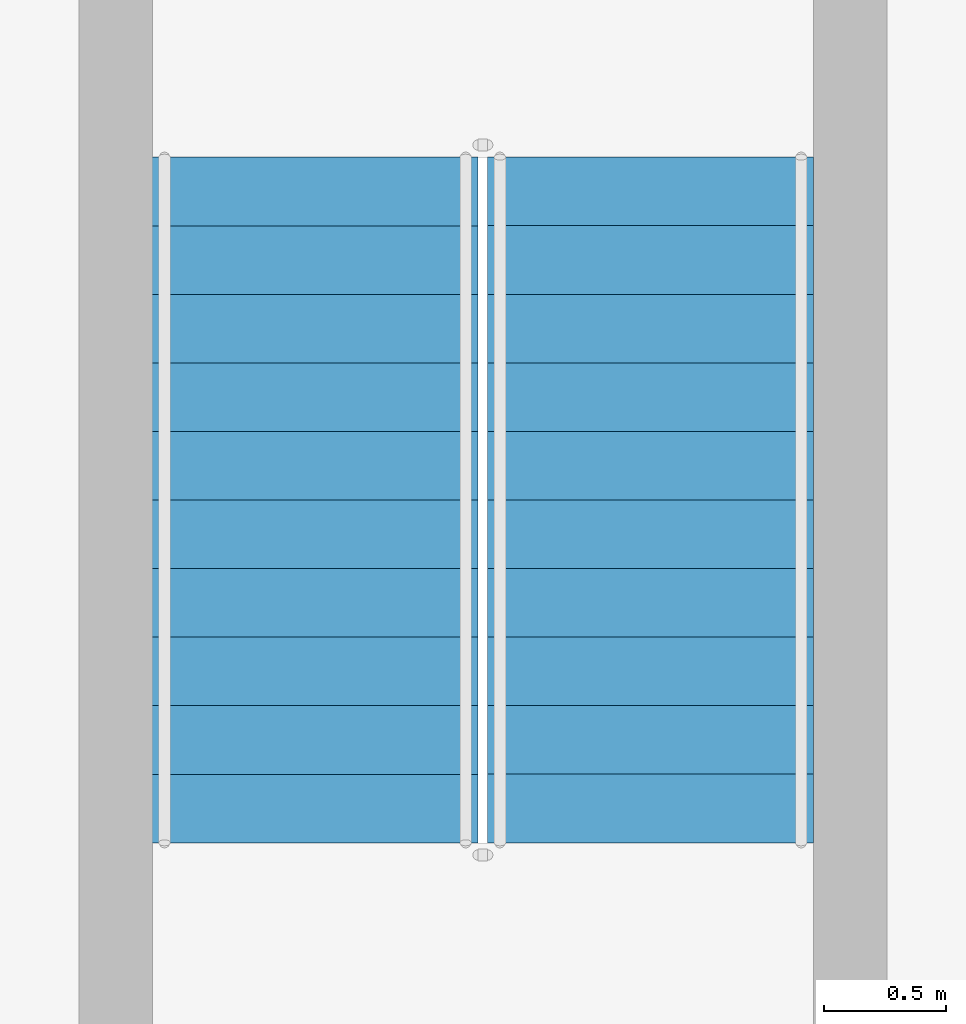
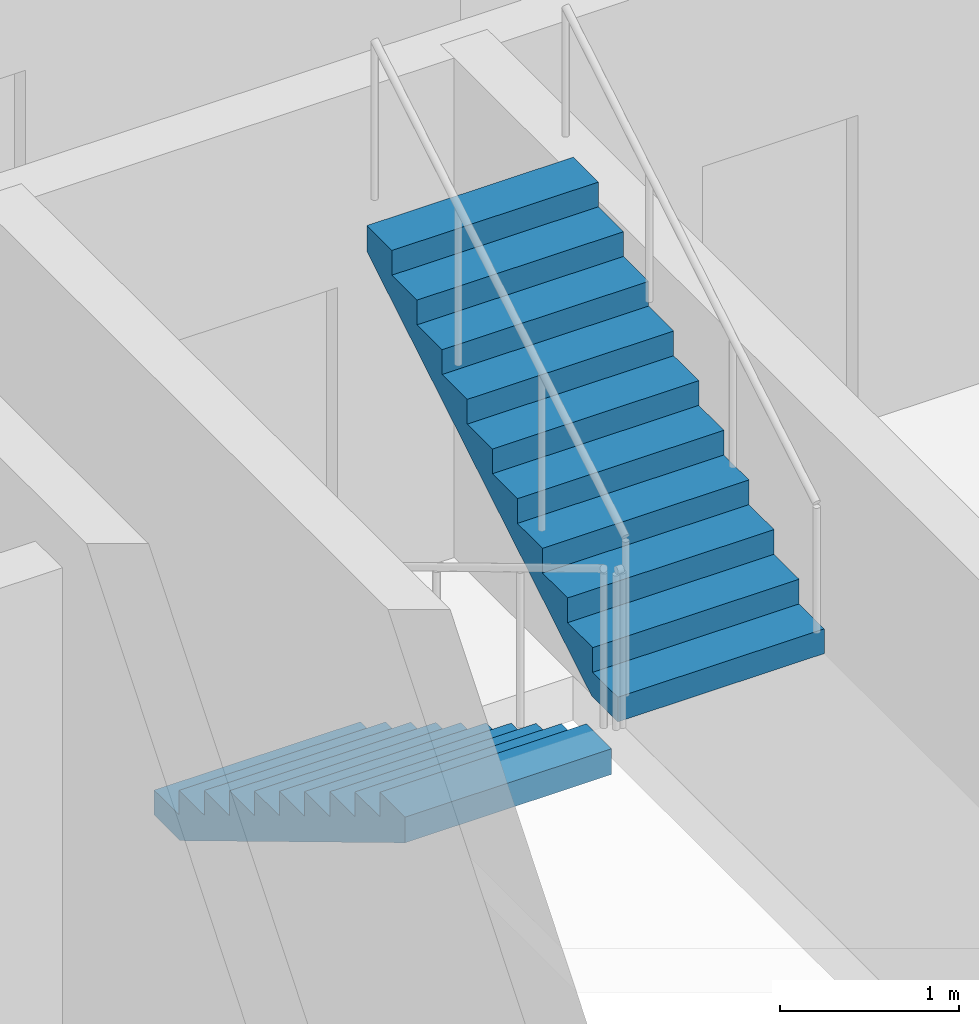
# One storey, part 15 of 19: 2 stair flights, 1 element without a shape of its own.
"""IFC4 building model written with IfcOpenShell, lengths in metres."""

from ifc_helpers import new_model, si_unit, direction, frame, origin, place, context, subcontext, project, spatial, triangles, source, transform, mapped, material, type_object, element, aggregate, save


model = new_model("IFC4")

# Units and contexts
model_context = context("Model", 3, precision=1e-05, world=origin(), true_north=direction((0.0, 1.0)))
body_context = subcontext(model_context, "Body", "Model", "MODEL_VIEW")
ifc_project = project(units=[si_unit("LENGTHUNIT", "METRE"), si_unit("AREAUNIT", "SQUARE_METRE"), si_unit("VOLUMEUNIT", "CUBIC_METRE"), si_unit("PLANEANGLEUNIT", "RADIAN"), si_unit("MASSUNIT", "GRAM", prefix="KILO")], contexts=[model_context])

# Site, building, storey
site_placement = place(None, origin())
site = spatial("IfcSite", under=ifc_project, at=site_placement, CompositionType="ELEMENT")
building_placement = place(site_placement, origin())
building = spatial("IfcBuilding", under=site, at=building_placement, Name="Ogive Portal Towers", CompositionType="ELEMENT")
storey_placement = place(building_placement, frame((0.0, 0.0, 203.199951171875)))
storey = spatial("IfcBuildingStorey", under=building, at=storey_placement, Name="L50", CompositionType="ELEMENT", Elevation=203.199951171875)

# Stair, stair flights
ifc_material = material(Name="Concrete C40/50", Category="concrete")
stair_type = type_object("IfcStairType", Name="INT-STAIR", PredefinedType="HALF_TURN_STAIR", material=ifc_material)
stair_placement = place(storey_placement, origin())
stair = element("IfcStair", 1, at=stair_placement, inside=storey, type_object=stair_type, Name="L50 Exit Stair ST-A4", PredefinedType="HALF_TURN_STAIR")
stair_flight_type = type_object("IfcStairFlightType", Name="INT-FLIGHT", PredefinedType="STRAIGHT", material=ifc_material)
shared_shape = source(origin(), body_context, "Body", "Tessellation", [
    triangles([(0.0, -0.6650390625, 0.0), (0.0, -0.384765625, 0.0), (0.0, -0.197021484375, 0.0), (0.0, -0.0830078125, 0.0), (0.0, -0.024658203125, 0.0), (0.0, -0.003173828125, 0.0), (0.0, 0.0, 0.0), (0.0, 0.003173828125, 0.0), (0.0, 0.024658203125, 0.0), (0.0, 0.0830078125, 0.0), (0.0, 0.197021484375, 0.0), (0.0, 0.384765625, 0.0), (0.0, 0.6650390625, 0.0), (0.0, -0.6650390625, 0.168212890625), (0.0, -0.384765625, 0.168212890625), (0.0, -0.197021484375, 0.168212890625), (0.0, -0.0830078125, 0.168212890625), (0.0, -0.024658203125, 0.168212890625), (0.0, -0.003173828125, 0.168212890625), (0.0, 0.0, 0.168212890625), (0.0, 0.003173828125, 0.168212890625), (0.0, 0.024658203125, 0.168212890625), (0.0, 0.0830078125, 0.168212890625), (0.0, 0.197021484375, 0.168212890625), (0.0, 0.384765625, 0.168212890625), (0.0, 0.6650390625, 0.168212890625), (0.280029296875, -0.6650390625, 0.168212890625), (0.280029296875, -0.384765625, 0.168212890625), (0.280029296875, -0.197021484375, 0.168212890625), (0.280029296875, -0.0830078125, 0.168212890625), (0.280029296875, -0.024658203125, 0.168212890625), (0.280029296875, -0.003173828125, 0.168212890625), (0.280029296875, 0.0, 0.168212890625), (0.280029296875, 0.003173828125, 0.168212890625), (0.280029296875, 0.024658203125, 0.168212890625), (0.280029296875, 0.0830078125, 0.168212890625), (0.280029296875, 0.197021484375, 0.168212890625), (0.280029296875, 0.384765625, 0.168212890625), (0.280029296875, 0.6650390625, 0.168212890625), (0.280029296875, -0.6650390625, 0.33642578125), (0.280029296875, -0.384765625, 0.33642578125), (0.280029296875, -0.197021484375, 0.33642578125), (0.280029296875, -0.0830078125, 0.33642578125), (0.280029296875, -0.024658203125, 0.33642578125), (0.280029296875, -0.003173828125, 0.33642578125), (0.280029296875, 0.0, 0.33642578125), (0.280029296875, 0.003173828125, 0.33642578125), (0.280029296875, 0.024658203125, 0.33642578125), (0.280029296875, 0.0830078125, 0.33642578125), (0.280029296875, 0.197021484375, 0.33642578125), (0.280029296875, 0.384765625, 0.33642578125), (0.280029296875, 0.6650390625, 0.33642578125), (0.56005859375, -0.6650390625, 0.33642578125), (0.56005859375, -0.384765625, 0.33642578125), (0.56005859375, -0.197021484375, 0.33642578125), (0.56005859375, -0.0830078125, 0.33642578125), (0.56005859375, -0.024658203125, 0.33642578125), (0.56005859375, -0.003173828125, 0.33642578125), (0.56005859375, 0.0, 0.33642578125), (0.56005859375, 0.003173828125, 0.33642578125), (0.56005859375, 0.024658203125, 0.33642578125), (0.56005859375, 0.0830078125, 0.33642578125), (0.56005859375, 0.197021484375, 0.33642578125), (0.56005859375, 0.384765625, 0.33642578125), (0.56005859375, 0.6650390625, 0.33642578125), (0.56005859375, -0.6650390625, 0.504638671875), (0.56005859375, -0.384765625, 0.504638671875), (0.56005859375, -0.197021484375, 0.504638671875), (0.56005859375, -0.0830078125, 0.504638671875), (0.56005859375, -0.024658203125, 0.504638671875), (0.56005859375, -0.003173828125, 0.504638671875), (0.56005859375, 0.0, 0.504638671875), (0.56005859375, 0.003173828125, 0.504638671875), (0.56005859375, 0.024658203125, 0.504638671875), (0.56005859375, 0.0830078125, 0.504638671875), (0.56005859375, 0.197021484375, 0.504638671875), (0.56005859375, 0.384765625, 0.504638671875), (0.56005859375, 0.6650390625, 0.504638671875), (0.840087890625, -0.6650390625, 0.504638671875), (0.840087890625, -0.384765625, 0.504638671875), (0.840087890625, -0.197021484375, 0.504638671875), (0.840087890625, -0.0830078125, 0.504638671875), (0.840087890625, -0.024658203125, 0.504638671875), (0.840087890625, -0.003173828125, 0.504638671875), (0.840087890625, 0.0, 0.504638671875), (0.840087890625, 0.003173828125, 0.504638671875), (0.840087890625, 0.024658203125, 0.504638671875), (0.840087890625, 0.0830078125, 0.504638671875), (0.840087890625, 0.197021484375, 0.504638671875), (0.840087890625, 0.384765625, 0.504638671875), (0.840087890625, 0.6650390625, 0.504638671875), (0.840087890625, -0.6650390625, 0.672607421875), (0.840087890625, -0.384765625, 0.672607421875), (0.840087890625, -0.197021484375, 0.672607421875), (0.840087890625, -0.0830078125, 0.672607421875), (0.840087890625, -0.024658203125, 0.672607421875), (0.840087890625, -0.003173828125, 0.672607421875), (0.840087890625, 0.0, 0.672607421875), (0.840087890625, 0.003173828125, 0.672607421875), (0.840087890625, 0.024658203125, 0.672607421875), (0.840087890625, 0.0830078125, 0.672607421875), (0.840087890625, 0.197021484375, 0.672607421875), (0.840087890625, 0.384765625, 0.672607421875), (0.840087890625, 0.6650390625, 0.672607421875), (1.1201171875, -0.6650390625, 0.672607421875), (1.1201171875, -0.384765625, 0.672607421875), (1.1201171875, -0.197021484375, 0.672607421875), (1.1201171875, -0.0830078125, 0.672607421875), (1.1201171875, -0.024658203125, 0.672607421875), (1.1201171875, -0.003173828125, 0.672607421875), (1.1201171875, 0.0, 0.672607421875), (1.1201171875, 0.003173828125, 0.672607421875), (1.1201171875, 0.024658203125, 0.672607421875), (1.1201171875, 0.0830078125, 0.672607421875), (1.1201171875, 0.197021484375, 0.672607421875), (1.1201171875, 0.384765625, 0.672607421875), (1.1201171875, 0.6650390625, 0.672607421875), (1.1201171875, -0.6650390625, 0.8408203125), (1.1201171875, -0.384765625, 0.8408203125), (1.1201171875, -0.197021484375, 0.8408203125), (1.1201171875, -0.0830078125, 0.8408203125), (1.1201171875, -0.024658203125, 0.8408203125), (1.1201171875, -0.003173828125, 0.8408203125), (1.1201171875, 0.0, 0.8408203125), (1.1201171875, 0.003173828125, 0.8408203125), (1.1201171875, 0.024658203125, 0.8408203125), (1.1201171875, 0.0830078125, 0.8408203125), (1.1201171875, 0.197021484375, 0.8408203125), (1.1201171875, 0.384765625, 0.8408203125), (1.1201171875, 0.6650390625, 0.8408203125), (1.39990234375, -0.6650390625, 0.8408203125), (1.39990234375, -0.384765625, 0.8408203125), (1.39990234375, -0.197021484375, 0.8408203125), (1.39990234375, -0.0830078125, 0.8408203125), (1.39990234375, -0.024658203125, 0.8408203125), (1.39990234375, -0.003173828125, 0.8408203125), (1.39990234375, 0.0, 0.8408203125), (1.39990234375, 0.003173828125, 0.8408203125), (1.39990234375, 0.024658203125, 0.8408203125), (1.39990234375, 0.0830078125, 0.8408203125), (1.39990234375, 0.197021484375, 0.8408203125), (1.39990234375, 0.384765625, 0.8408203125), (1.39990234375, 0.6650390625, 0.8408203125), (1.39990234375, -0.6650390625, 1.009033203125), (1.39990234375, -0.384765625, 1.009033203125), (1.39990234375, -0.197021484375, 1.009033203125), (1.39990234375, -0.0830078125, 1.009033203125), (1.39990234375, -0.024658203125, 1.009033203125), (1.39990234375, -0.003173828125, 1.009033203125), (1.39990234375, 0.0, 1.009033203125), (1.39990234375, 0.003173828125, 1.009033203125), (1.39990234375, 0.024658203125, 1.009033203125), (1.39990234375, 0.0830078125, 1.009033203125), (1.39990234375, 0.197021484375, 1.009033203125), (1.39990234375, 0.384765625, 1.009033203125), (1.39990234375, 0.6650390625, 1.009033203125), (1.679931640625, -0.6650390625, 1.009033203125), (1.679931640625, -0.384765625, 1.009033203125), (1.679931640625, -0.197021484375, 1.009033203125), (1.679931640625, -0.0830078125, 1.009033203125), (1.679931640625, -0.024658203125, 1.009033203125), (1.679931640625, -0.003173828125, 1.009033203125), (1.679931640625, 0.0, 1.009033203125), (1.679931640625, 0.003173828125, 1.009033203125), (1.679931640625, 0.024658203125, 1.009033203125), (1.679931640625, 0.0830078125, 1.009033203125), (1.679931640625, 0.197021484375, 1.009033203125), (1.679931640625, 0.384765625, 1.009033203125), (1.679931640625, 0.6650390625, 1.009033203125), (1.679931640625, -0.6650390625, 1.17724609375), (1.679931640625, -0.384765625, 1.17724609375), (1.679931640625, -0.197021484375, 1.17724609375), (1.679931640625, -0.0830078125, 1.17724609375), (1.679931640625, -0.024658203125, 1.17724609375), (1.679931640625, -0.003173828125, 1.17724609375), (1.679931640625, 0.0, 1.17724609375), (1.679931640625, 0.003173828125, 1.17724609375), (1.679931640625, 0.024658203125, 1.17724609375), (1.679931640625, 0.0830078125, 1.17724609375), (1.679931640625, 0.197021484375, 1.17724609375), (1.679931640625, 0.384765625, 1.17724609375), (1.679931640625, 0.6650390625, 1.17724609375), (1.9599609375, -0.6650390625, 1.17724609375), (1.9599609375, -0.384765625, 1.17724609375), (1.9599609375, -0.197021484375, 1.17724609375), (1.9599609375, -0.0830078125, 1.17724609375), (1.9599609375, -0.024658203125, 1.17724609375), (1.9599609375, -0.003173828125, 1.17724609375), (1.9599609375, 0.0, 1.17724609375), (1.9599609375, 0.003173828125, 1.17724609375), (1.9599609375, 0.024658203125, 1.17724609375), (1.9599609375, 0.0830078125, 1.17724609375), (1.9599609375, 0.197021484375, 1.17724609375), (1.9599609375, 0.384765625, 1.17724609375), (1.9599609375, 0.6650390625, 1.17724609375), (1.9599609375, -0.6650390625, 1.345458984375), (1.9599609375, -0.384765625, 1.345458984375), (1.9599609375, -0.197021484375, 1.345458984375), (1.9599609375, -0.0830078125, 1.345458984375), (1.9599609375, -0.024658203125, 1.345458984375), (1.9599609375, -0.003173828125, 1.345458984375), (1.9599609375, 0.0, 1.345458984375), (1.9599609375, 0.003173828125, 1.345458984375), (1.9599609375, 0.024658203125, 1.345458984375), (1.9599609375, 0.0830078125, 1.345458984375), (1.9599609375, 0.197021484375, 1.345458984375), (1.9599609375, 0.384765625, 1.345458984375), (1.9599609375, 0.6650390625, 1.345458984375), (2.239990234375, -0.6650390625, 1.345458984375), (2.239990234375, -0.384765625, 1.345458984375), (2.239990234375, -0.197021484375, 1.345458984375), (2.239990234375, -0.0830078125, 1.345458984375), (2.239990234375, -0.024658203125, 1.345458984375), (2.239990234375, -0.003173828125, 1.345458984375), (2.239990234375, 0.0, 1.345458984375), (2.239990234375, 0.003173828125, 1.345458984375), (2.239990234375, 0.024658203125, 1.345458984375), (2.239990234375, 0.0830078125, 1.345458984375), (2.239990234375, 0.197021484375, 1.345458984375), (2.239990234375, 0.384765625, 1.345458984375), (2.239990234375, 0.6650390625, 1.345458984375), (2.239990234375, -0.6650390625, 1.513671875), (2.239990234375, -0.384765625, 1.513671875), (2.239990234375, -0.197021484375, 1.513671875), (2.239990234375, -0.0830078125, 1.513671875), (2.239990234375, -0.024658203125, 1.513671875), (2.239990234375, -0.003173828125, 1.513671875), (2.239990234375, 0.0, 1.513671875), (2.239990234375, 0.003173828125, 1.513671875), (2.239990234375, 0.024658203125, 1.513671875), (2.239990234375, 0.0830078125, 1.513671875), (2.239990234375, 0.197021484375, 1.513671875), (2.239990234375, 0.384765625, 1.513671875), (2.239990234375, 0.6650390625, 1.513671875), (2.52001953125, -0.6650390625, 1.513671875), (2.52001953125, -0.384765625, 1.513671875), (2.52001953125, -0.197021484375, 1.513671875), (2.52001953125, -0.0830078125, 1.513671875), (2.52001953125, -0.024658203125, 1.513671875), (2.52001953125, -0.003173828125, 1.513671875), (2.52001953125, 0.0, 1.513671875), (2.52001953125, 0.003173828125, 1.513671875), (2.52001953125, 0.024658203125, 1.513671875), (2.52001953125, 0.0830078125, 1.513671875), (2.52001953125, 0.197021484375, 1.513671875), (2.52001953125, 0.384765625, 1.513671875), (2.52001953125, 0.6650390625, 1.513671875), (2.52001953125, -0.6650390625, 1.681884765625), (2.52001953125, -0.384765625, 1.681884765625), (2.52001953125, -0.197021484375, 1.681884765625), (2.52001953125, -0.0830078125, 1.681884765625), (2.52001953125, -0.024658203125, 1.681884765625), (2.52001953125, -0.003173828125, 1.681884765625), (2.52001953125, 0.0, 1.681884765625), (2.52001953125, 0.003173828125, 1.681884765625), (2.52001953125, 0.024658203125, 1.681884765625), (2.52001953125, 0.0830078125, 1.681884765625), (2.52001953125, 0.197021484375, 1.681884765625), (2.52001953125, 0.384765625, 1.681884765625), (2.52001953125, 0.6650390625, 1.681884765625), (2.800048828125, -0.6650390625, 1.681884765625), (2.800048828125, -0.384765625, 1.681884765625), (2.800048828125, -0.197021484375, 1.681884765625), (2.800048828125, -0.0830078125, 1.681884765625), (2.800048828125, -0.024658203125, 1.681884765625), (2.800048828125, -0.003173828125, 1.681884765625), (2.800048828125, 0.0, 1.681884765625), (2.800048828125, 0.003173828125, 1.681884765625), (2.800048828125, 0.024658203125, 1.681884765625), (2.800048828125, 0.0830078125, 1.681884765625), (2.800048828125, 0.197021484375, 1.681884765625), (2.800048828125, 0.384765625, 1.681884765625), (2.800048828125, 0.6650390625, 1.681884765625), (2.800048828125, -0.6650390625, 1.5068359375), (2.800048828125, -0.384765625, 1.5068359375), (2.800048828125, -0.197021484375, 1.5068359375), (2.800048828125, -0.0830078125, 1.5068359375), (2.800048828125, -0.024658203125, 1.5068359375), (2.800048828125, -0.003173828125, 1.5068359375), (2.800048828125, 0.0, 1.5068359375), (2.800048828125, 0.003173828125, 1.5068359375), (2.800048828125, 0.024658203125, 1.5068359375), (2.800048828125, 0.0830078125, 1.5068359375), (2.800048828125, 0.197021484375, 1.5068359375), (2.800048828125, 0.384765625, 1.5068359375), (2.800048828125, 0.6650390625, 1.5068359375), (0.291015625, -0.6650390625, 0.0), (0.291015625, -0.384765625, 0.0), (0.291015625, -0.197021484375, 0.0), (0.291015625, -0.0830078125, 0.0), (0.291015625, -0.024658203125, 0.0), (0.291015625, -0.003173828125, 0.0), (0.291015625, 0.0, 0.0), (0.291015625, 0.003173828125, 0.0), (0.291015625, 0.024658203125, 0.0), (0.291015625, 0.0830078125, 0.0), (0.291015625, 0.197021484375, 0.0), (0.291015625, 0.384765625, 0.0), (0.291015625, 0.6650390625, 0.0)], [[1, 14, 15], [1, 15, 2], [2, 15, 16], [2, 16, 3], [3, 16, 17], [3, 17, 4], [4, 17, 18], [4, 18, 5], [5, 18, 19], [5, 19, 6], [6, 19, 20], [6, 20, 7], [7, 20, 21], [7, 21, 8], [8, 21, 22], [8, 22, 9], [9, 22, 23], [9, 23, 10], [10, 23, 24], [10, 24, 11], [11, 24, 25], [11, 25, 12], [12, 25, 26], [12, 26, 13], [14, 27, 28], [14, 28, 15], [15, 28, 29], [15, 29, 16], [16, 29, 30], [16, 30, 17], [17, 30, 31], [17, 31, 18], [18, 31, 32], [18, 32, 19], [19, 32, 33], [19, 33, 20], [20, 33, 34], [20, 34, 21], [21, 34, 35], [21, 35, 22], [22, 35, 36], [22, 36, 23], [23, 36, 37], [23, 37, 24], [24, 37, 38], [24, 38, 25], [25, 38, 39], [25, 39, 26], [27, 40, 41], [27, 41, 28], [28, 41, 42], [28, 42, 29], [29, 42, 43], [29, 43, 30], [30, 43, 44], [30, 44, 31], [31, 44, 45], [31, 45, 32], [32, 45, 46], [32, 46, 33], [33, 46, 47], [33, 47, 34], [34, 47, 48], [34, 48, 35], [35, 48, 49], [35, 49, 36], [36, 49, 50], [36, 50, 37], [37, 50, 51], [37, 51, 38], [38, 51, 52], [38, 52, 39], [40, 53, 54], [40, 54, 41], [41, 54, 55], [41, 55, 42], [42, 55, 56], [42, 56, 43], [43, 56, 57], [43, 57, 44], [44, 57, 58], [44, 58, 45], [45, 58, 59], [45, 59, 46], [46, 59, 60], [46, 60, 47], [47, 60, 61], [47, 61, 48], [48, 61, 62], [48, 62, 49], [49, 62, 63], [49, 63, 50], [50, 63, 64], [50, 64, 51], [51, 64, 65], [51, 65, 52], [53, 66, 67], [53, 67, 54], [54, 67, 68], [54, 68, 55], [55, 68, 69], [55, 69, 56], [56, 69, 70], [56, 70, 57], [57, 70, 71], [57, 71, 58], [58, 71, 72], [58, 72, 59], [59, 72, 73], [59, 73, 60], [60, 73, 74], [60, 74, 61], [61, 74, 75], [61, 75, 62], [62, 75, 76], [62, 76, 63], [63, 76, 77], [63, 77, 64], [64, 77, 78], [64, 78, 65], [66, 79, 80], [66, 80, 67], [67, 80, 81], [67, 81, 68], [68, 81, 82], [68, 82, 69], [69, 82, 83], [69, 83, 70], [70, 83, 84], [70, 84, 71], [71, 84, 85], [71, 85, 72], [72, 85, 86], [72, 86, 73], [73, 86, 87], [73, 87, 74], [74, 87, 88], [74, 88, 75], [75, 88, 89], [75, 89, 76], [76, 89, 90], [76, 90, 77], [77, 90, 91], [77, 91, 78], [79, 92, 93], [79, 93, 80], [80, 93, 94], [80, 94, 81], [81, 94, 95], [81, 95, 82], [82, 95, 96], [82, 96, 83], [83, 96, 97], [83, 97, 84], [84, 97, 98], [84, 98, 85], [85, 98, 99], [85, 99, 86], [86, 99, 100], [86, 100, 87], [87, 100, 101], [87, 101, 88], [88, 101, 102], [88, 102, 89], [89, 102, 103], [89, 103, 90], [90, 103, 104], [90, 104, 91], [92, 105, 106], [92, 106, 93], [93, 106, 107], [93, 107, 94], [94, 107, 108], [94, 108, 95], [95, 108, 109], [95, 109, 96], [96, 109, 110], [96, 110, 97], [97, 110, 111], [97, 111, 98], [98, 111, 112], [98, 112, 99], [99, 112, 113], [99, 113, 100], [100, 113, 114], [100, 114, 101], [101, 114, 115], [101, 115, 102], [102, 115, 116], [102, 116, 103], [103, 116, 117], [103, 117, 104], [105, 118, 119], [105, 119, 106], [106, 119, 120], [106, 120, 107], [107, 120, 121], [107, 121, 108], [108, 121, 122], [108, 122, 109], [109, 122, 123], [109, 123, 110], [110, 123, 124], [110, 124, 111], [111, 124, 125], [111, 125, 112], [112, 125, 126], [112, 126, 113], [113, 126, 127], [113, 127, 114], [114, 127, 128], [114, 128, 115], [115, 128, 129], [115, 129, 116], [116, 129, 130], [116, 130, 117], [118, 131, 132], [118, 132, 119], [119, 132, 133], [119, 133, 120], [120, 133, 134], [120, 134, 121], [121, 134, 135], [121, 135, 122], [122, 135, 136], [122, 136, 123], [123, 136, 137], [123, 137, 124], [124, 137, 138], [124, 138, 125], [125, 138, 139], [125, 139, 126], [126, 139, 140], [126, 140, 127], [127, 140, 141], [127, 141, 128], [128, 141, 142], [128, 142, 129], [129, 142, 143], [129, 143, 130], [131, 144, 145], [131, 145, 132], [132, 145, 146], [132, 146, 133], [133, 146, 147], [133, 147, 134], [134, 147, 148], [134, 148, 135], [135, 148, 149], [135, 149, 136], [136, 149, 150], [136, 150, 137], [137, 150, 151], [137, 151, 138], [138, 151, 152], [138, 152, 139], [139, 152, 153], [139, 153, 140], [140, 153, 154], [140, 154, 141], [141, 154, 155], [141, 155, 142], [142, 155, 156], [142, 156, 143], [144, 157, 158], [144, 158, 145], [145, 158, 159], [145, 159, 146], [146, 159, 160], [146, 160, 147], [147, 160, 161], [147, 161, 148], [148, 161, 162], [148, 162, 149], [149, 162, 163], [149, 163, 150], [150, 163, 164], [150, 164, 151], [151, 164, 165], [151, 165, 152], [152, 165, 166], [152, 166, 153], [153, 166, 167], [153, 167, 154], [154, 167, 168], [154, 168, 155], [155, 168, 169], [155, 169, 156], [157, 170, 171], [157, 171, 158], [158, 171, 172], [158, 172, 159], [159, 172, 173], [159, 173, 160], [160, 173, 174], [160, 174, 161], [161, 174, 175], [161, 175, 162], [162, 175, 176], [162, 176, 163], [163, 176, 177], [163, 177, 164], [164, 177, 178], [164, 178, 165], [165, 178, 179], [165, 179, 166], [166, 179, 180], [166, 180, 167], [167, 180, 181], [167, 181, 168], [168, 181, 182], [168, 182, 169], [170, 183, 184], [170, 184, 171], [171, 184, 185], [171, 185, 172], [172, 185, 186], [172, 186, 173], [173, 186, 187], [173, 187, 174], [174, 187, 188], [174, 188, 175], [175, 188, 189], [175, 189, 176], [176, 189, 190], [176, 190, 177], [177, 190, 191], [177, 191, 178], [178, 191, 192], [178, 192, 179], [179, 192, 193], [179, 193, 180], [180, 193, 194], [180, 194, 181], [181, 194, 195], [181, 195, 182], [183, 196, 197], [183, 197, 184], [184, 197, 198], [184, 198, 185], [185, 198, 199], [185, 199, 186], [186, 199, 200], [186, 200, 187], [187, 200, 201], [187, 201, 188], [188, 201, 202], [188, 202, 189], [189, 202, 203], [189, 203, 190], [190, 203, 204], [190, 204, 191], [191, 204, 205], [191, 205, 192], [192, 205, 206], [192, 206, 193], [193, 206, 207], [193, 207, 194], [194, 207, 208], [194, 208, 195], [196, 209, 210], [196, 210, 197], [197, 210, 211], [197, 211, 198], [198, 211, 212], [198, 212, 199], [199, 212, 213], [199, 213, 200], [200, 213, 214], [200, 214, 201], [201, 214, 215], [201, 215, 202], [202, 215, 216], [202, 216, 203], [203, 216, 217], [203, 217, 204], [204, 217, 218], [204, 218, 205], [205, 218, 219], [205, 219, 206], [206, 219, 220], [206, 220, 207], [207, 220, 221], [207, 221, 208], [209, 222, 223], [209, 223, 210], [210, 223, 224], [210, 224, 211], [211, 224, 225], [211, 225, 212], [212, 225, 226], [212, 226, 213], [213, 226, 227], [213, 227, 214], [214, 227, 228], [214, 228, 215], [215, 228, 229], [215, 229, 216], [216, 229, 230], [216, 230, 217], [217, 230, 231], [217, 231, 218], [218, 231, 232], [218, 232, 219], [219, 232, 233], [219, 233, 220], [220, 233, 234], [220, 234, 221], [222, 235, 236], [222, 236, 223], [223, 236, 237], [223, 237, 224], [224, 237, 238], [224, 238, 225], [225, 238, 239], [225, 239, 226], [226, 239, 240], [226, 240, 227], [227, 240, 241], [227, 241, 228], [228, 241, 242], [228, 242, 229], [229, 242, 243], [229, 243, 230], [230, 243, 244], [230, 244, 231], [231, 244, 245], [231, 245, 232], [232, 245, 246], [232, 246, 233], [233, 246, 247], [233, 247, 234], [235, 248, 249], [235, 249, 236], [236, 249, 250], [236, 250, 237], [237, 250, 251], [237, 251, 238], [238, 251, 252], [238, 252, 239], [239, 252, 253], [239, 253, 240], [240, 253, 254], [240, 254, 241], [241, 254, 255], [241, 255, 242], [242, 255, 256], [242, 256, 243], [243, 256, 257], [243, 257, 244], [244, 257, 258], [244, 258, 245], [245, 258, 259], [245, 259, 246], [246, 259, 260], [246, 260, 247], [248, 261, 262], [248, 262, 249], [249, 262, 263], [249, 263, 250], [250, 263, 264], [250, 264, 251], [251, 264, 265], [251, 265, 252], [252, 265, 266], [252, 266, 253], [253, 266, 267], [253, 267, 254], [254, 267, 268], [254, 268, 255], [255, 268, 269], [255, 269, 256], [256, 269, 270], [256, 270, 257], [257, 270, 271], [257, 271, 258], [258, 271, 272], [258, 272, 259], [259, 272, 273], [259, 273, 260], [261, 274, 275], [261, 275, 262], [262, 275, 276], [262, 276, 263], [263, 276, 277], [263, 277, 264], [264, 277, 278], [264, 278, 265], [265, 278, 279], [265, 279, 266], [266, 279, 280], [266, 280, 267], [267, 280, 281], [267, 281, 268], [268, 281, 282], [268, 282, 269], [269, 282, 283], [269, 283, 270], [270, 283, 284], [270, 284, 271], [271, 284, 285], [271, 285, 272], [272, 285, 286], [272, 286, 273], [274, 287, 288], [274, 288, 275], [275, 288, 289], [275, 289, 276], [276, 289, 290], [276, 290, 277], [277, 290, 291], [277, 291, 278], [278, 291, 292], [278, 292, 279], [279, 292, 293], [279, 293, 280], [280, 293, 294], [280, 294, 281], [281, 294, 295], [281, 295, 282], [282, 295, 296], [282, 296, 283], [283, 296, 297], [283, 297, 284], [284, 297, 298], [284, 298, 285], [285, 298, 299], [285, 299, 286], [287, 1, 2], [287, 2, 288], [288, 2, 3], [288, 3, 289], [289, 3, 4], [289, 4, 290], [290, 4, 5], [290, 5, 291], [291, 5, 6], [291, 6, 292], [292, 6, 7], [292, 7, 293], [293, 7, 8], [293, 8, 294], [294, 8, 9], [294, 9, 295], [295, 9, 10], [295, 10, 296], [296, 10, 11], [296, 11, 297], [297, 11, 12], [297, 12, 298], [298, 12, 13], [298, 13, 299], [1, 287, 274], [13, 286, 299], [274, 261, 248], [286, 260, 273], [274, 248, 235], [286, 247, 260], [274, 235, 222], [286, 234, 247], [274, 222, 209], [286, 221, 234], [209, 196, 183], [221, 195, 208], [274, 209, 183], [286, 195, 221], [183, 170, 157], [195, 169, 182], [274, 183, 157], [286, 169, 195], [157, 144, 131], [169, 143, 156], [274, 157, 131], [286, 143, 169], [131, 118, 105], [143, 117, 130], [274, 131, 105], [286, 117, 143], [1, 274, 105], [13, 117, 286], [105, 92, 79], [117, 91, 104], [79, 66, 53], [91, 65, 78], [105, 79, 53], [117, 65, 91], [53, 40, 27], [65, 39, 52], [105, 53, 27], [117, 39, 65], [1, 105, 27], [13, 39, 117], [27, 14, 1], [39, 13, 26]], closed=True),
])
stair_flight_1_placement = place(storey_placement, frame((87.6650390625, 29.169921875, 0.0), z_axis=(0.0, 0.0, 1.0), x_axis=(0.0, -1.0, 0.0)))
stair_flight_1 = element("IfcStairFlight", 2, at=stair_flight_1_placement, type_object=stair_flight_type, Name="ST-A4 flight 1", NumberOfRisers=11, NumberOfTreads=10, PredefinedType="STRAIGHT", RiserHeight=0.168181818, TreadLength=0.28, context=body_context, shape_type="MappedRepresentation", body=[
    mapped(shared_shape, transform((0.0, 0.0, 0.0), scale=1.0)),
])
stair_flight_2_placement = place(storey_placement, frame((89.034912109375, 26.3701171875, 1.85009765625), z_axis=(0.0, 0.0, 1.0), x_axis=(0.0, 1.0, 0.0)))
stair_flight_2 = element("IfcStairFlight", 3, at=stair_flight_2_placement, type_object=stair_flight_type, Name="ST-A4 flight 2", NumberOfRisers=11, NumberOfTreads=10, PredefinedType="STRAIGHT", RiserHeight=0.168181818, TreadLength=0.28, context=body_context, shape_type="MappedRepresentation", body=[
    mapped(shared_shape, transform((0.0, 0.0, 0.0), scale=1.0)),
])
aggregate(stair, [stair_flight_1, stair_flight_2])

save(model, "model.ifc")
